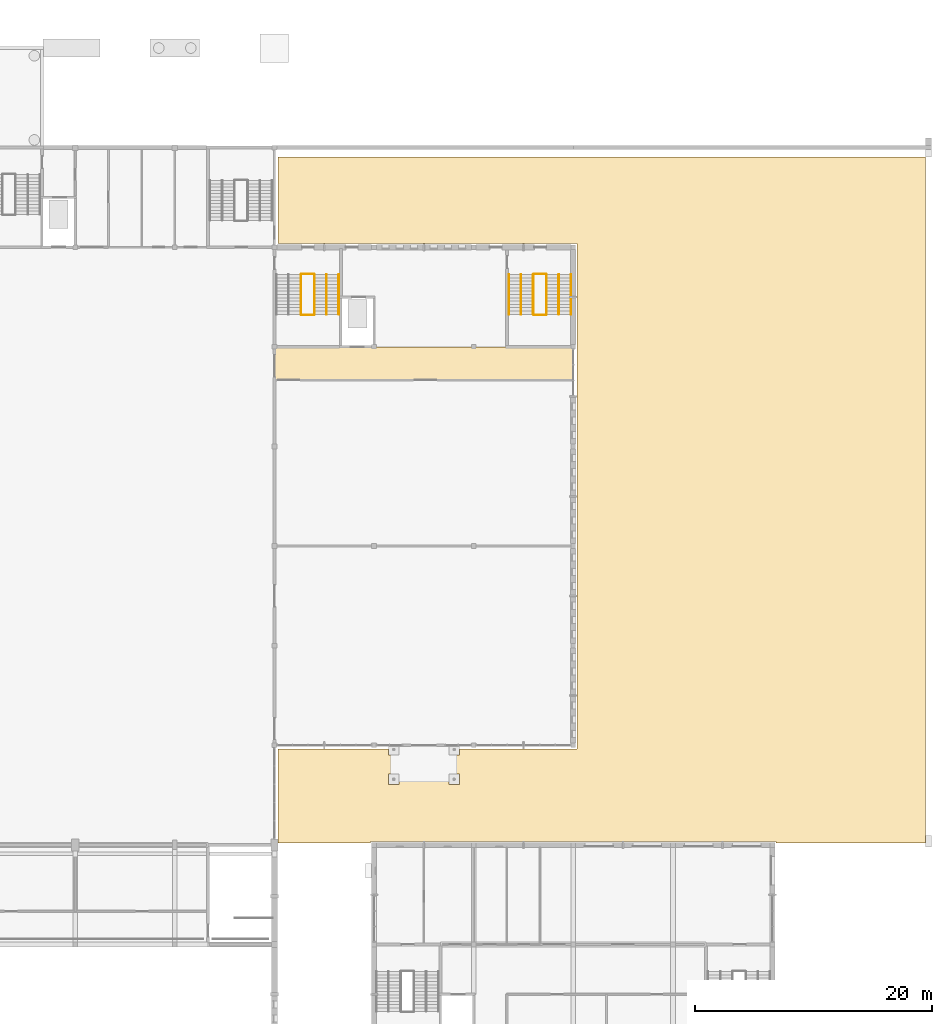
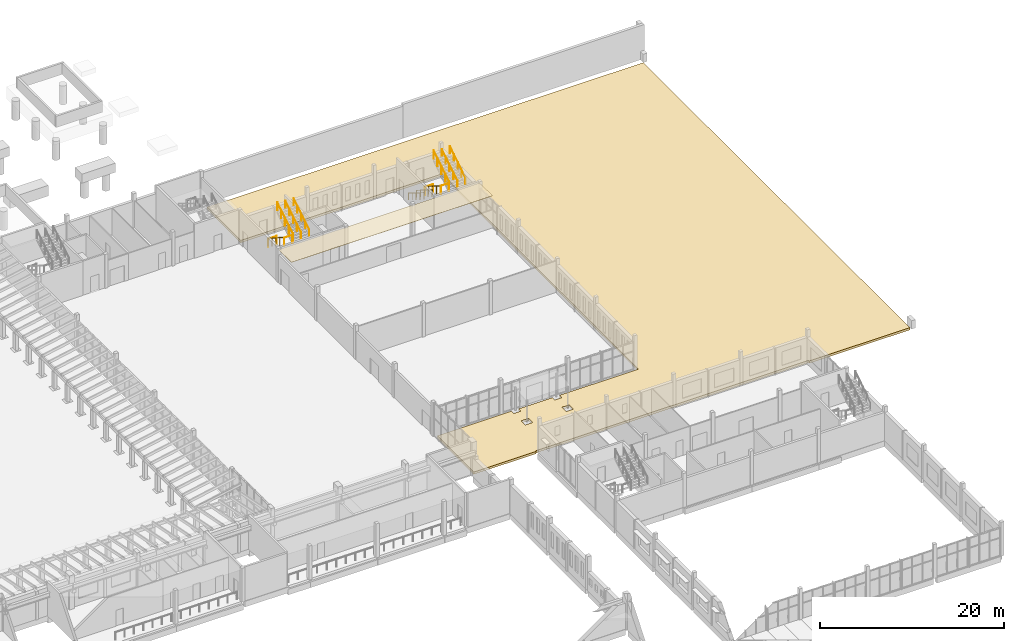
# One storey, part 59 of 60: 14 railings, 2 coverings.
"""IFC4 building model written with IfcOpenShell, lengths in metres."""

import ifcopenshell
import ifcopenshell.guid

model = None  # the IFC model being written
_history = None  # IfcOwnerHistory: only IFC2X3 demands one
_inside = {}  # id of a spatial element -> (the spatial element, [elements in it])
_under = {}  # id of a project, library or spatial element -> (it, [spatial elements below it])
_declared = {}  # id of a project -> (the project, [libraries it declares])
_typed = {}  # id of a type object -> (the type object, [elements of that type])
_made_of = {}  # id of a material, layer set ... -> (it, [elements and type objects made of it])


def new_model(schema):
    """Start an empty IFC model of exactly this schema.

    Asked for "IFC4X3", IfcOpenShell would pick the latest addendum, in which some entities
    have other attributes; the version numbers below select the first issue.
    IFC2X3 requires an IfcOwnerHistory on every rooted entity: one is made here for all.
    """
    global model, _history
    if schema == "IFC4X3":
        model = ifcopenshell.file(schema_version=(4, 3, 0, 0))
    else:
        model = ifcopenshell.file(schema=schema)
    _inside.clear()
    _under.clear()
    _declared.clear()
    _typed.clear()
    _made_of.clear()
    _history = None
    if model.schema == "IFC2X3":
        org = make("IfcOrganization", Name="unknown")
        user = make(
            "IfcPersonAndOrganization",
            ThePerson=make("IfcPerson", FamilyName="unknown"),
            TheOrganization=org,
        )
        app = make(
            "IfcApplication",
            ApplicationDeveloper=org,
            Version="unknown",
            ApplicationFullName="unknown",
            ApplicationIdentifier="unknown",
        )
        _history = make(
            "IfcOwnerHistory",
            OwningUser=user,
            OwningApplication=app,
            ChangeAction="ADDED",
            CreationDate=0,
        )
    return model


def make(cls, **values):
    """One entity of the class cls with the attributes given. An attribute that is None is left unset."""
    return model.create_entity(
        cls, **{name: value for name, value in values.items() if value is not None}
    )


def rooted(cls, **values):
    """An entity with a GlobalId (a new one), such as an element, a storey or a relation."""
    return make(cls, GlobalId=ifcopenshell.guid.new(), OwnerHistory=_history, **values)


def si_unit(unit_type, name, prefix=None):
    """IfcSIUnit, for example si_unit("LENGTHUNIT", "METRE", prefix="MILLI")."""
    return make("IfcSIUnit", UnitType=unit_type, Prefix=prefix, Name=name)


def assignment(units):
    """IfcUnitAssignment: the units of a project."""
    return None if units is None else make("IfcUnitAssignment", Units=units)


def point(xyz):
    """IfcCartesianPoint."""
    return None if xyz is None else make("IfcCartesianPoint", Coordinates=xyz)


def direction(xyz):
    """IfcDirection."""
    return None if xyz is None else make("IfcDirection", DirectionRatios=xyz)


def frame(location, z_axis=None, x_axis=None):
    """IfcAxis2Placement3D, a coordinate frame: its origin and axes. An axis left out is left unset."""
    return make(
        "IfcAxis2Placement3D",
        Location=point(location),
        Axis=direction(z_axis),
        RefDirection=direction(x_axis),
    )


def frame_2d(location, x_axis=None):
    """IfcAxis2Placement2D, a coordinate frame in the plane: its origin and x axis."""
    return make(
        "IfcAxis2Placement2D", Location=point(location), RefDirection=direction(x_axis)
    )


def origin():
    """The frame at (0, 0, 0) with its axes left unset."""
    return frame((0.0, 0.0, 0.0))


def origin_2d():
    """The frame at (0, 0) in the plane with its x axis left unset."""
    return frame_2d((0.0, 0.0))


def place(relative_to, where):
    """IfcLocalPlacement: puts the frame where relative to a parent placement (None: the world)."""
    return make(
        "IfcLocalPlacement", PlacementRelTo=relative_to, RelativePlacement=where
    )


def context(
    kind, dimensions, precision=None, world=None, true_north=None, identifier=None
):
    """IfcGeometricRepresentationContext, for example the 3D "Model" context."""
    return make(
        "IfcGeometricRepresentationContext",
        ContextIdentifier=identifier,
        ContextType=kind,
        CoordinateSpaceDimension=dimensions,
        Precision=precision,
        WorldCoordinateSystem=world,
        TrueNorth=true_north,
    )


def subcontext(parent, identifier, kind, view, scale=None):
    """IfcGeometricRepresentationSubContext, for example "Body" below "Model"."""
    return make(
        "IfcGeometricRepresentationSubContext",
        ContextIdentifier=identifier,
        ContextType=kind,
        ParentContext=parent,
        TargetScale=scale,
        TargetView=view,
    )


def project(units=None, contexts=None):
    """IfcProject with its units and contexts."""
    return rooted(
        "IfcProject",
        Name="project",
        RepresentationContexts=contexts,
        UnitsInContext=assignment(units),
    )


def spatial(cls, under=None, at=None, **own):
    """A site, building, storey or space (cls), placed at a placement, below another one or the project."""
    s = rooted(cls, ObjectPlacement=at, **own)
    if under is not None:
        _under.setdefault(under.id(), (under, []))[1].append(s)
    return s


def polyline(points):
    """IfcPolyline through the points."""
    return make("IfcPolyline", Points=[point(p) for p in points])


def profile(cls, at=None, kind="AREA", **sizes):
    """A parametric profile (cls). Its sizes go by their IFC names, for example OverallWidth=200.0."""
    return make(cls, ProfileType=kind, Position=at, **sizes)


def rectangle(**sizes):
    """IfcRectangleProfileDef."""
    return profile("IfcRectangleProfileDef", **sizes)


def circle(**sizes):
    """IfcCircleProfileDef."""
    return profile("IfcCircleProfileDef", **sizes)


def outline(outer, holes=None, kind="AREA"):
    """IfcArbitraryClosedProfileDef: a profile drawn as a closed curve; with holes, ...WithVoids."""
    if holes is None:
        return make("IfcArbitraryClosedProfileDef", ProfileType=kind, OuterCurve=outer)
    return make(
        "IfcArbitraryProfileDefWithVoids",
        ProfileType=kind,
        OuterCurve=outer,
        InnerCurves=holes,
    )


def extrude(swept, where, along, depth):
    """IfcExtrudedAreaSolid: the profile swept, set in the frame where, extruded along a direction by depth."""
    return make(
        "IfcExtrudedAreaSolid",
        SweptArea=swept,
        Position=where,
        ExtrudedDirection=direction(along),
        Depth=depth,
    )


def shape(context_of_items, identifier, shape_type, items):
    """IfcShapeRepresentation: the items that make up one representation, for example the "Body"."""
    return make(
        "IfcShapeRepresentation",
        ContextOfItems=context_of_items,
        RepresentationIdentifier=identifier,
        RepresentationType=shape_type,
        Items=items,
    )


def material(Name=None, Category=None):
    """IfcMaterial."""
    return make("IfcMaterial", Name=Name, Category=Category)


def layer(
    of_material, thickness, ventilated=None, Name=None, Category=None, Priority=None
):
    """IfcMaterialLayer: one layer of a wall or slab, of a material (None: an air gap)."""
    return make(
        "IfcMaterialLayer",
        Material=of_material,
        LayerThickness=thickness,
        IsVentilated=ventilated,
        Name=Name,
        Category=Category,
        Priority=Priority,
    )


def layer_set(layers, Name=None):
    """IfcMaterialLayerSet."""
    return make("IfcMaterialLayerSet", MaterialLayers=layers, LayerSetName=Name)


def made_of(thing, what):
    """Note that an element or type object is made of a material, layer set ...; save() writes the relation."""
    if what is not None:
        _made_of.setdefault(what.id(), (what, []))[1].append(thing)
    return thing


def type_object(cls, material=None, **own):
    """A type object (cls), such as IfcWallType, which elements share."""
    return made_of(rooted(cls, **own), material)


def element(
    cls,
    number,
    at=None,
    inside=None,
    cuts=None,
    type_object=None,
    material=None,
    context=None,
    identifier="Body",
    shape_type=None,
    held_by="IfcProductDefinitionShape",
    body=None,
    shapes=None,
    **own,
):
    """One element of the class cls, such as IfcWall. Its Tag is "e" and its number.

    at: its placement. inside: the storey or other place that contains it. cuts: it is an
    opening in that element (IfcRelVoidsElement). A single representation is given by context,
    identifier, shape_type and body (its items); several are given by shapes. held_by: the class
    of the entity that holds the representations. save() writes the other relations.
    """
    e = rooted(cls, Tag="e%d" % number, ObjectPlacement=at, **own)
    if body is not None:
        shapes = [shape(context, identifier, shape_type, body)]
    if shapes is not None:
        e.Representation = make(held_by, Representations=shapes)
    if inside is not None:
        _inside.setdefault(inside.id(), (inside, []))[1].append(e)
    if cuts is not None:
        rooted(
            "IfcRelVoidsElement", RelatingBuildingElement=cuts, RelatedOpeningElement=e
        )
    if type_object is not None:
        _typed.setdefault(type_object.id(), (type_object, []))[1].append(e)
    return made_of(e, material)


def aggregate(whole, parts):
    """IfcRelAggregates: a whole, such as a stair, and the parts it consists of."""
    return rooted("IfcRelAggregates", RelatingObject=whole, RelatedObjects=parts)


def save(model, path):
    """Write the relations noted so far, then the file.

    IfcRelAggregates (storeys below a building ...), IfcRelContainedInSpatialStructure (elements
    in a storey), IfcRelDefinesByType, IfcRelAssociatesMaterial and IfcRelDeclares: one each for
    every whole, place, type object, material and project.
    """
    for whole, parts in _under.values():
        aggregate(whole, parts)
    for where, things in _inside.values():
        rooted(
            "IfcRelContainedInSpatialStructure",
            RelatedElements=things,
            RelatingStructure=where,
        )
    for kind, things in _typed.values():
        rooted("IfcRelDefinesByType", RelatedObjects=things, RelatingType=kind)
    for what, things in _made_of.values():
        rooted("IfcRelAssociatesMaterial", RelatedObjects=things, RelatingMaterial=what)
    for by, libraries in _declared.values():
        rooted("IfcRelDeclares", RelatingContext=by, RelatedDefinitions=libraries)
    model.write(path)


model = new_model("IFC4")

# Units and contexts
model_context = context("Model", 3, precision=1e-05, world=origin(), true_north=direction((0.0, 1.0)))
body_context = subcontext(model_context, "Body", "Model", "MODEL_VIEW")
ifc_project = project(units=[si_unit("LENGTHUNIT", "METRE"), si_unit("AREAUNIT", "SQUARE_METRE"), si_unit("VOLUMEUNIT", "CUBIC_METRE"), si_unit("PLANEANGLEUNIT", "RADIAN"), si_unit("MASSUNIT", "GRAM", prefix="KILO")], contexts=[model_context])

# Site, building, storey
site_placement = place(None, origin())
site = spatial("IfcSite", under=ifc_project, at=site_placement, CompositionType="ELEMENT")
building_placement = place(site_placement, origin())
building = spatial("IfcBuilding", under=site, at=building_placement, Name="Fescue Hill Polytechnic", CompositionType="ELEMENT")
storey_placement = place(building_placement, frame((0.0, 0.0, 4.5)))
storey = spatial("IfcBuildingStorey", under=building, at=storey_placement, Name="L01", CompositionType="ELEMENT", Elevation=4.5)

# Railings
ifc_material_1 = material(Name="Steel 350W (350 MPa)", Category="steel")
railing_type_1 = type_object("IfcRailingType", Name="Stair guard steel 1100", PredefinedType="GUARDRAIL", material=ifc_material_1)
railing_1_placement = place(storey_placement, frame((119.824951171875, 98.5, 0.173095703125)))
element("IfcRailing", 1, at=railing_1_placement, inside=storey, type_object=railing_type_1, Name="L01 ST-V2-1 stair guard 1", PredefinedType="GUARDRAIL", context=body_context, shape_type="SweptSolid", body=[
    extrude(circle(Radius=0.02392578125, at=origin_2d()), frame((0.0, 0.0, 1.076171875), z_axis=(0.0, -0.850623216509, 0.525775754039), x_axis=(1.0, 0.0, 0.0)), (0.0, 0.0, 1.0), 3.9501953125),
    extrude(circle(Radius=0.02099609375, at=origin_2d()), origin(), (0.0, 0.0, 1.0), 1.052001953125),
    extrude(circle(Radius=0.02099609375, at=origin_2d()), frame((0.0, -0.840087890625, 0.519287109375)), (0.0, 0.0, 1.0), 1.052001953125),
    extrude(circle(Radius=0.02099609375, at=origin_2d()), frame((0.0, -1.68017578125, 1.03857421875)), (0.0, 0.0, 1.0), 1.052001953125),
    extrude(circle(Radius=0.02099609375, at=origin_2d()), frame((0.0, -2.52001953125, 1.5576171875)), (0.0, 0.0, 1.0), 1.052001953125),
    extrude(circle(Radius=0.02099609375, at=origin_2d()), frame((0.0, -3.360107421875, 2.076904296875)), (0.0, 0.0, 1.0), 1.052001953125),
])
railing_2_placement = place(storey_placement, frame((119.875, 95.090087890625, 2.25)))
element("IfcRailing", 2, at=railing_2_placement, inside=storey, type_object=railing_type_1, Name="L01 ST-V2-1 stair guard 2", PredefinedType="GUARDRAIL", context=body_context, shape_type="SweptSolid", body=[
    extrude(circle(Radius=0.02392578125, at=origin_2d()), frame((0.0, 0.0, 1.076171875), z_axis=(1.0, 0.0, 0.0), x_axis=(0.0, 1.0, 0.0)), (0.0, 0.0, 1.0), 1.050048828125),
    extrude(circle(Radius=0.02099609375, at=origin_2d()), origin(), (0.0, 0.0, 1.0), 1.052001953125),
    extrude(circle(Radius=0.02099609375, at=origin_2d()), frame((1.050048828125, 0.0, 0.0)), (0.0, 0.0, 1.0), 1.052001953125),
])
railing_3_placement = place(storey_placement, frame((120.97509765625, 95.139892578125, 2.423095703125)))
element("IfcRailing", 3, at=railing_3_placement, inside=storey, type_object=railing_type_1, Name="L01 ST-V2-1 stair guard 3", PredefinedType="GUARDRAIL", context=body_context, shape_type="SweptSolid", body=[
    extrude(circle(Radius=0.02392578125, at=origin_2d()), frame((0.0, 0.0, 1.076171875), z_axis=(0.0, 0.850623216509, 0.525775754039), x_axis=(-1.0, 0.0, 0.0)), (0.0, 0.0, 1.0), 3.9501953125),
    extrude(circle(Radius=0.02099609375, at=origin_2d()), origin(), (0.0, 0.0, 1.0), 1.052001953125),
    extrude(circle(Radius=0.02099609375, at=origin_2d()), frame((0.0, 0.840087890625, 0.519287109375)), (0.0, 0.0, 1.0), 1.052001953125),
    extrude(circle(Radius=0.02099609375, at=origin_2d()), frame((0.0, 1.68017578125, 1.03857421875)), (0.0, 0.0, 1.0), 1.052001953125),
    extrude(circle(Radius=0.02099609375, at=origin_2d()), frame((0.0, 2.52001953125, 1.5576171875)), (0.0, 0.0, 1.0), 1.052001953125),
    extrude(circle(Radius=0.02099609375, at=origin_2d()), frame((0.0, 3.360107421875, 2.076904296875)), (0.0, 0.0, 1.0), 1.052001953125),
])
railing_4_placement = place(storey_placement, frame((119.875, 98.550048828125, 0.0)))
element("IfcRailing", 4, at=railing_4_placement, inside=storey, type_object=railing_type_1, Name="L01 ST-V2-1 stair guard 4", PredefinedType="GUARDRAIL", context=body_context, shape_type="SweptSolid", body=[
    extrude(circle(Radius=0.02392578125, at=origin_2d()), frame((0.0, 0.0, 1.076171875), z_axis=(1.0, 0.0, 0.0), x_axis=(0.0, 1.0, 0.0)), (0.0, 0.0, 1.0), 1.050048828125),
    extrude(circle(Radius=0.02099609375, at=origin_2d()), origin(), (0.0, 0.0, 1.0), 1.052001953125),
    extrude(circle(Radius=0.02099609375, at=origin_2d()), frame((1.050048828125, 0.0, 0.0)), (0.0, 0.0, 1.0), 1.052001953125),
])
railing_5_placement = place(storey_placement, frame((139.425048828125, 98.5, 0.173095703125)))
element("IfcRailing", 5, at=railing_5_placement, inside=storey, type_object=railing_type_1, Name="L01 ST-V2-2 stair guard 1", PredefinedType="GUARDRAIL", context=body_context, shape_type="SweptSolid", body=[
    extrude(circle(Radius=0.02392578125, at=origin_2d()), frame((0.0, 0.0, 1.076171875), z_axis=(0.0, -0.850623216509, 0.525775754039), x_axis=(1.0, 0.0, 0.0)), (0.0, 0.0, 1.0), 3.9501953125),
    extrude(circle(Radius=0.02099609375, at=origin_2d()), origin(), (0.0, 0.0, 1.0), 1.052001953125),
    extrude(circle(Radius=0.02099609375, at=origin_2d()), frame((0.0, -0.840087890625, 0.519287109375)), (0.0, 0.0, 1.0), 1.052001953125),
    extrude(circle(Radius=0.02099609375, at=origin_2d()), frame((0.0, -1.68017578125, 1.03857421875)), (0.0, 0.0, 1.0), 1.052001953125),
    extrude(circle(Radius=0.02099609375, at=origin_2d()), frame((0.0, -2.52001953125, 1.5576171875)), (0.0, 0.0, 1.0), 1.052001953125),
    extrude(circle(Radius=0.02099609375, at=origin_2d()), frame((0.0, -3.360107421875, 2.076904296875)), (0.0, 0.0, 1.0), 1.052001953125),
])
railing_6_placement = place(storey_placement, frame((139.47509765625, 95.090087890625, 2.25)))
element("IfcRailing", 6, at=railing_6_placement, inside=storey, type_object=railing_type_1, Name="L01 ST-V2-2 stair guard 2", PredefinedType="GUARDRAIL", context=body_context, shape_type="SweptSolid", body=[
    extrude(circle(Radius=0.02392578125, at=origin_2d()), frame((0.0, 0.0, 1.076171875), z_axis=(1.0, 0.0, 0.0), x_axis=(0.0, 1.0, 0.0)), (0.0, 0.0, 1.0), 1.02490234375),
    extrude(circle(Radius=0.02099609375, at=origin_2d()), origin(), (0.0, 0.0, 1.0), 1.052001953125),
    extrude(circle(Radius=0.02099609375, at=origin_2d()), frame((1.02490234375, 0.0, 0.0)), (0.0, 0.0, 1.0), 1.052001953125),
])
railing_7_placement = place(storey_placement, frame((140.550048828125, 95.139892578125, 2.423095703125)))
element("IfcRailing", 7, at=railing_7_placement, inside=storey, type_object=railing_type_1, Name="L01 ST-V2-2 stair guard 3", PredefinedType="GUARDRAIL", context=body_context, shape_type="SweptSolid", body=[
    extrude(circle(Radius=0.02392578125, at=origin_2d()), frame((0.0, 0.0, 1.076171875), z_axis=(0.0, 0.850623216509, 0.525775754039), x_axis=(-1.0, 0.0, 0.0)), (0.0, 0.0, 1.0), 3.9501953125),
    extrude(circle(Radius=0.02099609375, at=origin_2d()), origin(), (0.0, 0.0, 1.0), 1.052001953125),
    extrude(circle(Radius=0.02099609375, at=origin_2d()), frame((0.0, 0.840087890625, 0.519287109375)), (0.0, 0.0, 1.0), 1.052001953125),
    extrude(circle(Radius=0.02099609375, at=origin_2d()), frame((0.0, 1.68017578125, 1.03857421875)), (0.0, 0.0, 1.0), 1.052001953125),
    extrude(circle(Radius=0.02099609375, at=origin_2d()), frame((0.0, 2.52001953125, 1.5576171875)), (0.0, 0.0, 1.0), 1.052001953125),
    extrude(circle(Radius=0.02099609375, at=origin_2d()), frame((0.0, 3.360107421875, 2.076904296875)), (0.0, 0.0, 1.0), 1.052001953125),
])
railing_8_placement = place(storey_placement, frame((139.47509765625, 98.550048828125, 0.0)))
element("IfcRailing", 8, at=railing_8_placement, inside=storey, type_object=railing_type_1, Name="L01 ST-V2-2 stair guard 4", PredefinedType="GUARDRAIL", context=body_context, shape_type="SweptSolid", body=[
    extrude(circle(Radius=0.02392578125, at=origin_2d()), frame((0.0, 0.0, 1.076171875), z_axis=(1.0, 0.0, 0.0), x_axis=(0.0, 1.0, 0.0)), (0.0, 0.0, 1.0), 1.02490234375),
    extrude(circle(Radius=0.02099609375, at=origin_2d()), origin(), (0.0, 0.0, 1.0), 1.052001953125),
    extrude(circle(Radius=0.02099609375, at=origin_2d()), frame((1.02490234375, 0.0, 0.0)), (0.0, 0.0, 1.0), 1.052001953125),
])
railing_type_2 = type_object("IfcRailingType", Name="Stair handrail steel 900", PredefinedType="HANDRAIL", material=ifc_material_1)
for number, where, name in (
    (9, (123.02490234375, 95.139892578125, 2.423095703125), "L01 ST-V2-1 stair handrail 2"),
    (10, (122.0, 95.139892578125, 2.423095703125), "L01 ST-V2-1 stair handrail 4"),
):
    element("IfcRailing", number, at=place(storey_placement, frame(where)), inside=storey, type_object=railing_type_2, Name=name, PredefinedType="HANDRAIL", context=body_context, shape_type="SweptSolid", body=[
        extrude(circle(Radius=0.02392578125, at=origin_2d()), frame((0.0, 0.0, 0.8759765625), z_axis=(0.0, 0.850623216509, 0.525775754039), x_axis=(-1.0, 0.0, 0.0)), (0.0, 0.0, 1.0), 3.9501953125),
        extrude(circle(Radius=0.02099609375, at=origin_2d()), origin(), (0.0, 0.0, 1.0), 0.851806640625),
        extrude(circle(Radius=0.02099609375, at=origin_2d()), frame((0.0, 0.840087890625, 0.519287109375)), (0.0, 0.0, 1.0), 0.851806640625),
        extrude(circle(Radius=0.02099609375, at=origin_2d()), frame((0.0, 1.68017578125, 1.03857421875)), (0.0, 0.0, 1.0), 0.851806640625),
        extrude(circle(Radius=0.02099609375, at=origin_2d()), frame((0.0, 2.52001953125, 1.5576171875)), (0.0, 0.0, 1.0), 0.851806640625),
        extrude(circle(Radius=0.02099609375, at=origin_2d()), frame((0.0, 3.360107421875, 2.076904296875)), (0.0, 0.0, 1.0), 0.851806640625),
    ])
railing_9_placement = place(storey_placement, frame((137.375, 98.5, 0.173095703125)))
element("IfcRailing", 11, at=railing_9_placement, inside=storey, type_object=railing_type_2, Name="L01 ST-V2-2 stair handrail 1", PredefinedType="HANDRAIL", context=body_context, shape_type="SweptSolid", body=[
    extrude(circle(Radius=0.02392578125, at=origin_2d()), frame((0.0, 0.0, 0.8759765625), z_axis=(0.0, -0.850623216509, 0.525775754039), x_axis=(1.0, 0.0, 0.0)), (0.0, 0.0, 1.0), 3.9501953125),
    extrude(circle(Radius=0.02099609375, at=origin_2d()), origin(), (0.0, 0.0, 1.0), 0.851806640625),
    extrude(circle(Radius=0.02099609375, at=origin_2d()), frame((0.0, -0.840087890625, 0.519287109375)), (0.0, 0.0, 1.0), 0.851806640625),
    extrude(circle(Radius=0.02099609375, at=origin_2d()), frame((0.0, -1.68017578125, 1.03857421875)), (0.0, 0.0, 1.0), 0.851806640625),
    extrude(circle(Radius=0.02099609375, at=origin_2d()), frame((0.0, -2.52001953125, 1.5576171875)), (0.0, 0.0, 1.0), 0.851806640625),
    extrude(circle(Radius=0.02099609375, at=origin_2d()), frame((0.0, -3.360107421875, 2.076904296875)), (0.0, 0.0, 1.0), 0.851806640625),
])
railing_10_placement = place(storey_placement, frame((142.60009765625, 95.139892578125, 2.423095703125)))
element("IfcRailing", 12, at=railing_10_placement, inside=storey, type_object=railing_type_2, Name="L01 ST-V2-2 stair handrail 2", PredefinedType="HANDRAIL", context=body_context, shape_type="SweptSolid", body=[
    extrude(circle(Radius=0.02392578125, at=origin_2d()), frame((0.0, 0.0, 0.8759765625), z_axis=(0.0, 0.850623216509, 0.525775754039), x_axis=(-1.0, 0.0, 0.0)), (0.0, 0.0, 1.0), 3.9501953125),
    extrude(circle(Radius=0.02099609375, at=origin_2d()), origin(), (0.0, 0.0, 1.0), 0.851806640625),
    extrude(circle(Radius=0.02099609375, at=origin_2d()), frame((0.0, 0.840087890625, 0.519287109375)), (0.0, 0.0, 1.0), 0.851806640625),
    extrude(circle(Radius=0.02099609375, at=origin_2d()), frame((0.0, 1.68017578125, 1.03857421875)), (0.0, 0.0, 1.0), 0.851806640625),
    extrude(circle(Radius=0.02099609375, at=origin_2d()), frame((0.0, 2.52001953125, 1.5576171875)), (0.0, 0.0, 1.0), 0.851806640625),
    extrude(circle(Radius=0.02099609375, at=origin_2d()), frame((0.0, 3.360107421875, 2.076904296875)), (0.0, 0.0, 1.0), 0.851806640625),
])
railing_11_placement = place(storey_placement, frame((138.39990234375, 98.5, 0.173095703125)))
element("IfcRailing", 13, at=railing_11_placement, inside=storey, type_object=railing_type_2, Name="L01 ST-V2-2 stair handrail 3", PredefinedType="HANDRAIL", context=body_context, shape_type="SweptSolid", body=[
    extrude(circle(Radius=0.02392578125, at=origin_2d()), frame((0.0, 0.0, 0.8759765625), z_axis=(0.0, -0.850623216509, 0.525775754039), x_axis=(1.0, 0.0, 0.0)), (0.0, 0.0, 1.0), 3.9501953125),
    extrude(circle(Radius=0.02099609375, at=origin_2d()), origin(), (0.0, 0.0, 1.0), 0.851806640625),
    extrude(circle(Radius=0.02099609375, at=origin_2d()), frame((0.0, -0.840087890625, 0.519287109375)), (0.0, 0.0, 1.0), 0.851806640625),
    extrude(circle(Radius=0.02099609375, at=origin_2d()), frame((0.0, -1.68017578125, 1.03857421875)), (0.0, 0.0, 1.0), 0.851806640625),
    extrude(circle(Radius=0.02099609375, at=origin_2d()), frame((0.0, -2.52001953125, 1.5576171875)), (0.0, 0.0, 1.0), 0.851806640625),
    extrude(circle(Radius=0.02099609375, at=origin_2d()), frame((0.0, -3.360107421875, 2.076904296875)), (0.0, 0.0, 1.0), 0.851806640625),
])
railing_12_placement = place(storey_placement, frame((141.574951171875, 95.139892578125, 2.423095703125)))
element("IfcRailing", 14, at=railing_12_placement, inside=storey, type_object=railing_type_2, Name="L01 ST-V2-2 stair handrail 4", PredefinedType="HANDRAIL", context=body_context, shape_type="SweptSolid", body=[
    extrude(circle(Radius=0.02392578125, at=origin_2d()), frame((0.0, 0.0, 0.8759765625), z_axis=(0.0, 0.850623216509, 0.525775754039), x_axis=(-1.0, 0.0, 0.0)), (0.0, 0.0, 1.0), 3.9501953125),
    extrude(circle(Radius=0.02099609375, at=origin_2d()), origin(), (0.0, 0.0, 1.0), 0.851806640625),
    extrude(circle(Radius=0.02099609375, at=origin_2d()), frame((0.0, 0.840087890625, 0.519287109375)), (0.0, 0.0, 1.0), 0.851806640625),
    extrude(circle(Radius=0.02099609375, at=origin_2d()), frame((0.0, 1.68017578125, 1.03857421875)), (0.0, 0.0, 1.0), 0.851806640625),
    extrude(circle(Radius=0.02099609375, at=origin_2d()), frame((0.0, 2.52001953125, 1.5576171875)), (0.0, 0.0, 1.0), 0.851806640625),
    extrude(circle(Radius=0.02099609375, at=origin_2d()), frame((0.0, 3.360107421875, 2.076904296875)), (0.0, 0.0, 1.0), 0.851806640625),
])

# Coverings
ifc_material_2 = material(Name="Paving and gravel")
ifc_layer = layer(ifc_material_2, 0.300048828125)
ifc_layer_set = layer_set([ifc_layer], Name="Paving and gravel")
covering_type = type_object("IfcCoveringType", Name="Terrace paving and gravel 300", PredefinedType="FLOORING", material=ifc_layer_set)
covering_1_placement = place(storey_placement, frame((0.0, 0.0, -0.300048828125)))
element("IfcCovering", 15, at=covering_1_placement, inside=storey, type_object=covering_type, Name="East terrace paving", PredefinedType="FLOORING", context=body_context, shape_type="SweptSolid", body=[
    extrude(outline(polyline([(127.199951171875, 57.989990234375), (128.10009765625, 57.989990234375), (128.10009765625, 58.5), (132.300048828125, 58.5), (132.300048828125, 57.989990234375), (133.199951171875, 57.989990234375), (133.199951171875, 58.5), (143.10009765625, 58.5), (143.10009765625, 101.10009765625), (117.89990234375, 101.10009765625), (117.89990234375, 108.39990234375), (172.492919921875, 108.39990234375), (172.492919921875, 50.574951171875), (159.89990234375, 50.574951171875), (159.89990234375, 50.699951171875), (125.699951171875, 50.699951171875), (125.699951171875, 50.574951171875), (117.89990234375, 50.574951171875), (117.89990234375, 58.5), (127.199951171875, 58.5), (127.199951171875, 57.989990234375)]), holes=[polyline([(132.300048828125, 56.389892578125), (132.300048828125, 55.489990234375), (133.199951171875, 55.489990234375), (133.199951171875, 56.389892578125), (132.300048828125, 56.389892578125)]), polyline([(127.199951171875, 56.389892578125), (127.199951171875, 55.489990234375), (128.10009765625, 55.489990234375), (128.10009765625, 56.389892578125), (127.199951171875, 56.389892578125)])]), origin(), (0.0, 0.0, 1.0), 0.300048828125),
])
covering_2_placement = place(storey_placement, frame((130.199951171875, 91.0, 4.14990234375), z_axis=(0.0, 0.0, 1.0), x_axis=(1.0, 0.0, 0.0)))
element("IfcCovering", 16, at=covering_2_placement, inside=storey, Name="Ceiling Lobby 1.63", PredefinedType="CEILING", context=body_context, shape_type="SweptSolid", body=[
    extrude(rectangle(XDim=25.199951171875, YDim=2.800048828125, at=origin_2d()), origin(), (0.0, 0.0, 1.0), 0.0400390625),
])

save(model, "model.ifc")
